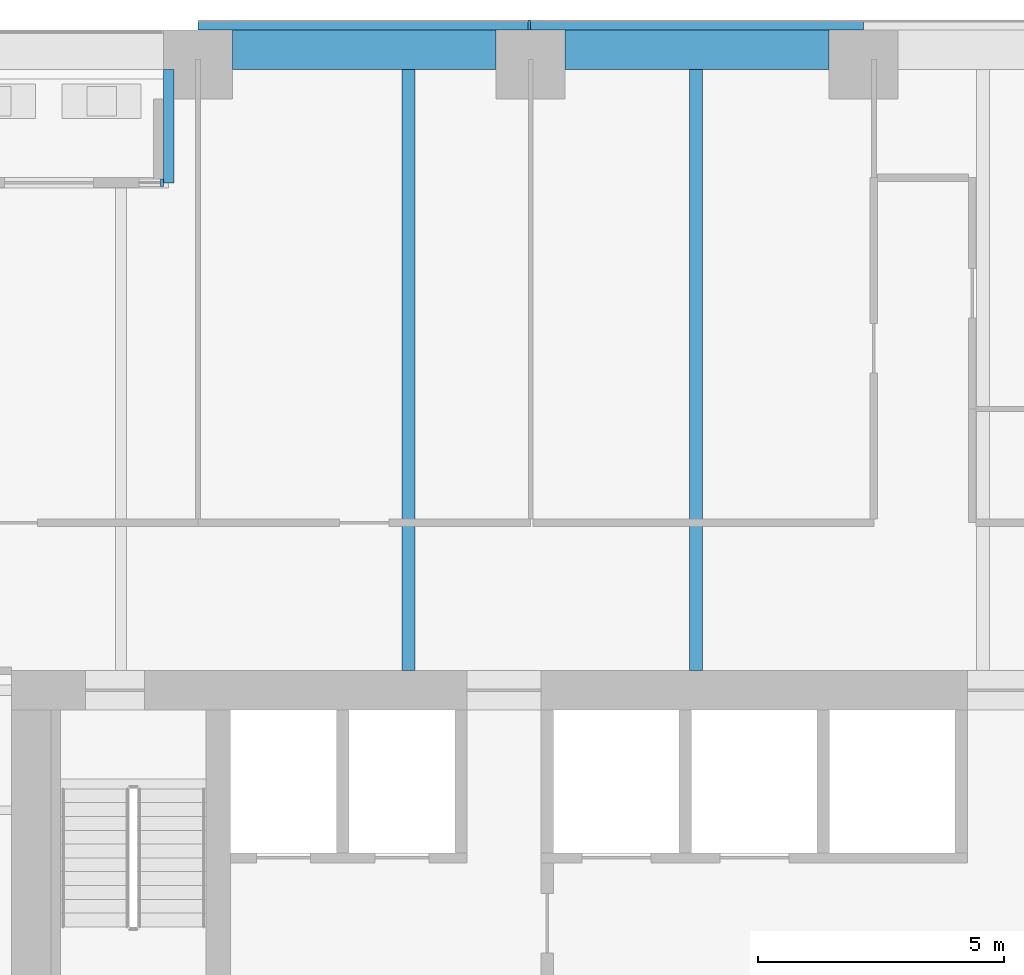
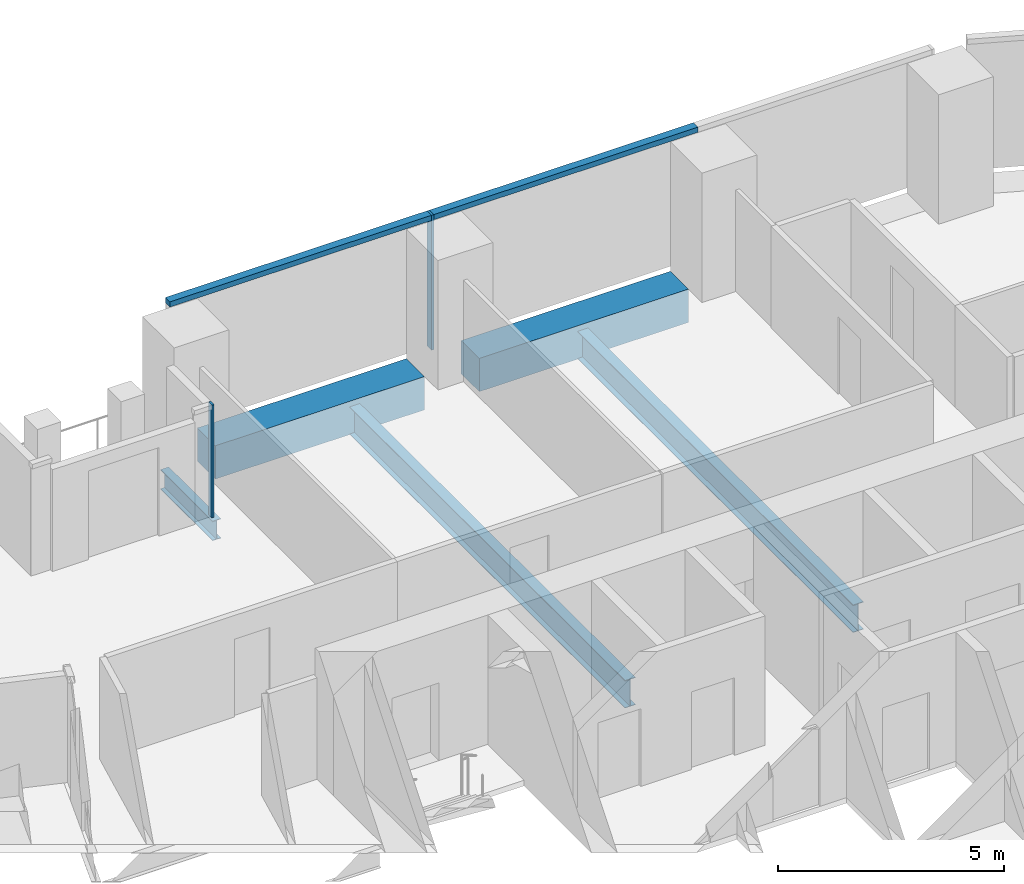
# One storey, part 9 of 26: 5 beams, 4 members, 2 elements without a shape of their own.
"""IFC4 building model written with IfcOpenShell, lengths in metres."""

from ifc_helpers import new_model, si_unit, direction, frame, origin, origin_2d, place, context, subcontext, project, spatial, rectangle, i_section, extrude, material, layer, layer_set, material_profile, profile_set, type_object, element, aggregate, save


model = new_model("IFC4")

# Units and contexts
model_context = context("Model", 3, precision=1e-05, world=origin(), true_north=direction((0.0, 1.0)))
body_context = subcontext(model_context, "Body", "Model", "MODEL_VIEW")
ifc_project = project(units=[si_unit("LENGTHUNIT", "METRE"), si_unit("AREAUNIT", "SQUARE_METRE"), si_unit("VOLUMEUNIT", "CUBIC_METRE"), si_unit("PLANEANGLEUNIT", "RADIAN"), si_unit("MASSUNIT", "GRAM", prefix="KILO")], contexts=[model_context])

# Site, building, storey
site_placement = place(None, origin())
site = spatial("IfcSite", under=ifc_project, at=site_placement, CompositionType="ELEMENT")
building_placement = place(site_placement, origin())
building = spatial("IfcBuilding", under=site, at=building_placement, Name="Isthmus Gate Tower", CompositionType="ELEMENT")
storey_placement = place(building_placement, frame((0.0, 0.0, 144.39990234375)))
storey = spatial("IfcBuildingStorey", under=building, at=storey_placement, Name="L35", CompositionType="ELEMENT", Elevation=144.39990234375)

# Curtain wall, members
ifc_material_1 = material(Name="Aluminium, pale champagne anodised", Category="aluminium")
ifc_layer_1 = layer(ifc_material_1, 0.199951171875)
ifc_layer_set_1 = layer_set([ifc_layer_1], Name="CW-1 UNITISED CURTAIN WALL 200 DEEP")
curtain_wall_type_1 = type_object("IfcCurtainWallType", Name="CW-1 UNITISED CURTAIN WALL 200 DEEP", PredefinedType="NOTDEFINED", material=ifc_layer_set_1)
curtain_wall_1_placement = place(storey_placement, origin())
curtain_wall_1 = element("IfcCurtainWall", 1, at=curtain_wall_1_placement, inside=storey, type_object=curtain_wall_type_1, Name="CW-1 N L35", PredefinedType="NOTDEFINED")
ifc_material_2 = material(Name="Aluminium, pale champagne anodised", Category="aluminium")
ifc_material_profile_1 = material_profile(ifc_material_2, rectangle(XDim=0.06005859375, YDim=0.199951171875, at=origin_2d()), Name="60x200")
ifc_profile_set_1 = profile_set([ifc_material_profile_1], Name="Aluminium, pale champagne anodised")
member_type_1 = type_object("IfcMemberType", Name="CW-1 MULLION 60 X 200", PredefinedType="MULLION", material=ifc_profile_set_1)
member_1_placement = place(storey_placement, frame((-4.49169921875, 28.10009765625, 0.0), z_axis=(0.0, 0.0, 1.0), x_axis=(-1.0, 0.0, 0.0)))
member_1 = element("IfcMember", 2, at=member_1_placement, type_object=member_type_1, Name="CW-1 mullion", PredefinedType="MULLION", context=body_context, shape_type="SweptSolid", body=[
    extrude(rectangle(XDim=0.06005859375, YDim=0.199951171875, at=origin_2d()), origin(), (0.0, 0.0, 1.0), 3.650146484375),
])
ifc_material_3 = material(Name="Aluminium, pale champagne anodised", Category="aluminium")
ifc_material_profile_2 = material_profile(ifc_material_3, rectangle(XDim=0.199951171875, YDim=0.139892578125, at=origin_2d()), Name="200x140")
ifc_profile_set_2 = profile_set([ifc_material_profile_2], Name="Aluminium, pale champagne anodised")
member_type_2 = type_object("IfcMemberType", Name="CW-1 TRANSOM 200 X 140", PredefinedType="USERDEFINED", material=ifc_profile_set_2)
member_2_placement = place(storey_placement, frame((2.288330078125, 28.10009765625, 3.580078125), z_axis=(-1.0, 0.0, 0.0), x_axis=(0.0, -1.0, 0.0)))
member_2 = element("IfcMember", 3, at=member_2_placement, type_object=member_type_2, Name="CW-1 transom", ObjectType="TRANSOM", PredefinedType="USERDEFINED", context=body_context, shape_type="SweptSolid", body=[
    extrude(rectangle(XDim=0.199951171875, YDim=0.139892578125, at=origin_2d()), origin(), (0.0, 0.0, 1.0), 6.75),
])
member_3_placement = place(storey_placement, frame((-4.521728515625, 28.10009765625, 3.580078125), z_axis=(-1.0, 0.0, 0.0), x_axis=(0.0, -1.0, 0.0)))
member_3 = element("IfcMember", 4, at=member_3_placement, type_object=member_type_2, Name="CW-1 transom", ObjectType="TRANSOM", PredefinedType="USERDEFINED", context=body_context, shape_type="SweptSolid", body=[
    extrude(rectangle(XDim=0.199951171875, YDim=0.139892578125, at=origin_2d()), origin(), (0.0, 0.0, 1.0), 6.690185546875),
])
aggregate(curtain_wall_1, [member_2, member_1, member_3])

# Curtain wall, member
ifc_material_4 = material(Name="Aluminium, pale champagne anodised", Category="aluminium")
ifc_layer_2 = layer(ifc_material_4, 0.14990234375)
ifc_layer_set_2 = layer_set([ifc_layer_2], Name="CW-6 LOGGIA BACK WALL GLAZING 150 DEEP")
curtain_wall_type_2 = type_object("IfcCurtainWallType", Name="CW-6 LOGGIA BACK WALL GLAZING 150 DEEP", PredefinedType="NOTDEFINED", material=ifc_layer_set_2)
curtain_wall_2_placement = place(storey_placement, origin())
curtain_wall_2 = element("IfcCurtainWall", 5, at=curtain_wall_2_placement, inside=storey, type_object=curtain_wall_type_2, Name="CW-6 N L35", PredefinedType="NOTDEFINED")
ifc_material_5 = material(Name="Aluminium, pale champagne anodised", Category="aluminium")
ifc_material_profile_3 = material_profile(ifc_material_5, rectangle(XDim=0.06005859375, YDim=0.14990234375, at=origin_2d()), Name="60x150")
ifc_profile_set_3 = profile_set([ifc_material_profile_3], Name="Aluminium, pale champagne anodised")
member_type_3 = type_object("IfcMemberType", Name="CW-6 MULLION 60 X 150", PredefinedType="MULLION", material=ifc_profile_set_3)
member_4_placement = place(storey_placement, frame((-11.94189453125, 24.89990234375, 0.0), z_axis=(0.0, 0.0, 1.0), x_axis=(-1.0, 0.0, 0.0)))
member_4 = element("IfcMember", 6, at=member_4_placement, type_object=member_type_3, Name="CW-6 mullion", PredefinedType="MULLION", context=body_context, shape_type="SweptSolid", body=[
    extrude(rectangle(XDim=0.06005859375, YDim=0.14990234375, at=origin_2d()), origin(), (0.0, 0.0, 1.0), 3.050048828125),
])
aggregate(curtain_wall_2, [member_4])

# Beams
ifc_material_6 = material(Name="Concrete f'c 60 MPa", Category="concrete")
ifc_material_profile_4 = material_profile(ifc_material_6, rectangle(XDim=0.800048828125, YDim=0.89990234375, at=origin_2d()), Name="RC 800X900")
ifc_profile_set_4 = profile_set([ifc_material_profile_4], Name="Concrete f'c 60 MPa")
beam_type_1 = type_object("IfcBeamType", Name="RC SPANDREL 800 X 900", PredefinedType="SPANDREL", material=ifc_profile_set_4)
for number, where, z_axis, x_axis, name in (
    (7, (-10.51171875, 27.60009765625, -0.449951171875), (1.0, 0.0, 0.0), (0.0, 1.0, 0.0), "str-spandrel-L35-27"),
    (8, (-3.76171875, 27.60009765625, -0.449951171875), (1.0, 0.0, 0.0), (0.0, 1.0, 0.0), "str-spandrel-L35-28"),
):
    element("IfcBeam", number, at=place(storey_placement, frame(where, z_axis=z_axis, x_axis=x_axis)), inside=storey, type_object=beam_type_1, Name=name, PredefinedType="SPANDREL", context=body_context, shape_type="SweptSolid", body=[
        extrude(rectangle(XDim=0.800048828125, YDim=0.89990234375, at=origin_2d()), origin(), (0.0, 0.0, 1.0), 5.35009765625),
    ])
ifc_material_7 = material(Name="Structural steel ASTM A992 Gr 50", Category="steel")
ifc_material_profile_5 = material_profile(ifc_material_7, i_section(OverallWidth=0.263427734375, OverallDepth=0.749267578125, WebThickness=0.0126953125, FlangeThickness=0.015869140625, at=origin_2d()), Name="W30X90")
ifc_profile_set_5 = profile_set([ifc_material_profile_5], Name="Structural steel ASTM A992 Gr 50")
beam_type_2 = type_object("IfcBeamType", Name="STEEL FLOOR BEAM W30X90", PredefinedType="JOIST", material=ifc_profile_set_5)
for number, where, z_axis, x_axis, name in (
    (9, (-6.944091796875, 15.0, -0.524658203125), (0.0, 1.0, 0.0), (-1.0, 0.0, 0.0), "str-beam-L35-08-02"),
    (10, (-1.113037109375, 15.0, -0.524658203125), (0.0, 1.0, 0.0), (-1.0, 0.0, 0.0), "str-beam-L35-08-03"),
):
    element("IfcBeam", number, at=place(storey_placement, frame(where, z_axis=z_axis, x_axis=x_axis)), inside=storey, type_object=beam_type_2, Name=name, PredefinedType="JOIST", context=body_context, shape_type="SweptSolid", body=[
        extrude(i_section(OverallWidth=0.263427734375, OverallDepth=0.749267578125, WebThickness=0.0126953125, FlangeThickness=0.015869140625, at=origin_2d()), origin(), (0.0, 0.0, 1.0), 12.199951171875),
    ])
ifc_material_8 = material(Name="Structural steel ASTM A992 Gr 50", Category="steel")
ifc_material_profile_6 = material_profile(ifc_material_8, i_section(OverallWidth=0.20947265625, OverallDepth=0.533447265625, WebThickness=0.009521484375, FlangeThickness=0.015869140625, at=origin_2d()), Name="W21X62")
ifc_profile_set_6 = profile_set([ifc_material_profile_6], Name="Structural steel ASTM A992 Gr 50")
beam_type_3 = type_object("IfcBeamType", Name="STEEL TRIMMER W21X62", PredefinedType="BEAM", material=ifc_profile_set_6)
beam_placement = place(storey_placement, frame((-11.80712890625, 27.199951171875, -0.41650390625), z_axis=(0.0, -1.0, 0.0), x_axis=(1.0, 0.0, 0.0)))
element("IfcBeam", 11, at=beam_placement, inside=storey, type_object=beam_type_3, Name="str-loggiatrim-L35-01-A", PredefinedType="BEAM", context=body_context, shape_type="SweptSolid", body=[
    extrude(i_section(OverallWidth=0.20947265625, OverallDepth=0.533447265625, WebThickness=0.009521484375, FlangeThickness=0.015869140625, at=origin_2d()), origin(), (0.0, 0.0, 1.0), 2.3046875),
])

save(model, "model.ifc")
